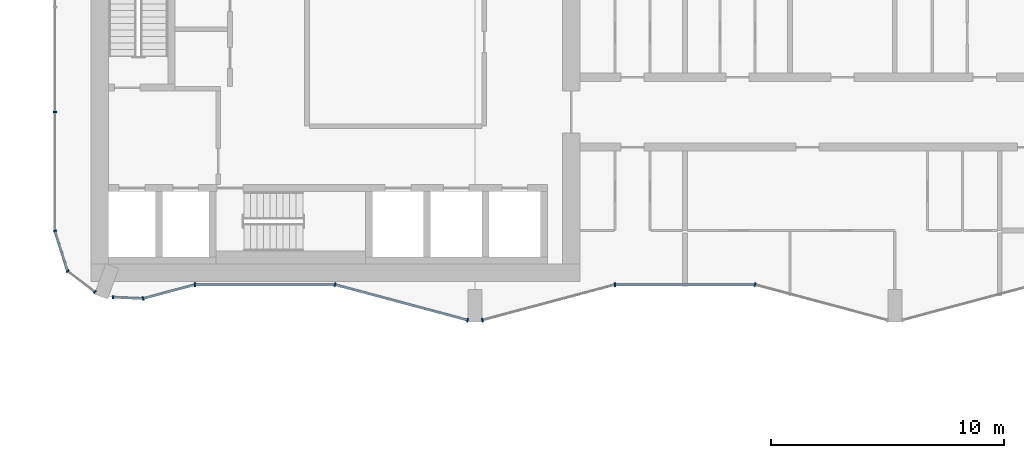
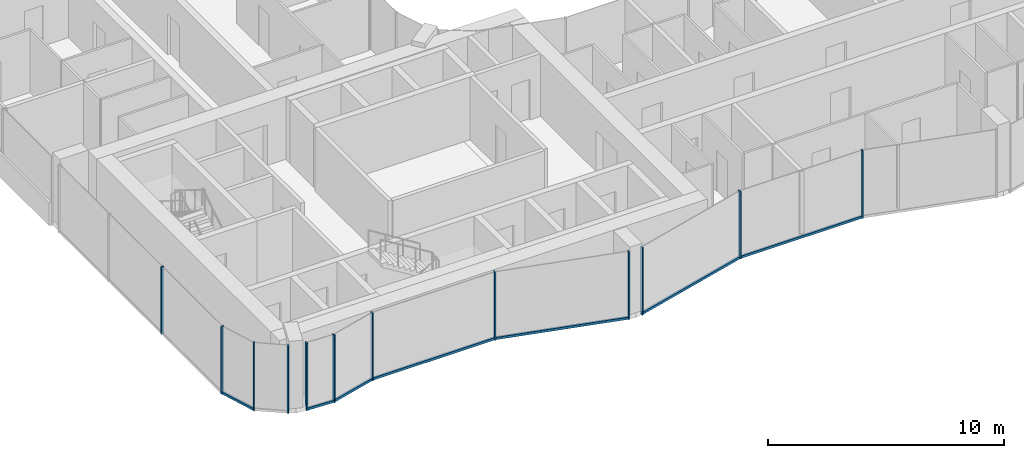
# One storey, part 2 of 23: 19 members, 10 elements without a shape of their own.
"""IFC4 building model written with IfcOpenShell, lengths in metres."""

from ifc_helpers import new_model, si_unit, direction, frame, origin, origin_2d, place, context, subcontext, project, spatial, rectangle, extrude, material, layer, layer_set, material_profile, profile_set, type_object, element, aggregate, save


model = new_model("IFC4")

# Units and contexts
model_context = context("Model", 3, precision=1e-05, world=origin(), true_north=direction((0.0, 1.0)))
body_context = subcontext(model_context, "Body", "Model", "MODEL_VIEW")
ifc_project = project(units=[si_unit("LENGTHUNIT", "METRE"), si_unit("AREAUNIT", "SQUARE_METRE"), si_unit("VOLUMEUNIT", "CUBIC_METRE"), si_unit("PLANEANGLEUNIT", "RADIAN"), si_unit("MASSUNIT", "GRAM", prefix="KILO")], contexts=[model_context])

# Site, building, storey
site_placement = place(None, origin())
site = spatial("IfcSite", under=ifc_project, at=site_placement, CompositionType="ELEMENT")
building_placement = place(site_placement, origin())
building = spatial("IfcBuilding", under=site, at=building_placement, Name="Plateau Cross Towers", CompositionType="ELEMENT")
storey_placement = place(building_placement, frame((0.0, 0.0, 37.300048828125)))
storey = spatial("IfcBuildingStorey", under=building, at=storey_placement, Name="L08", CompositionType="ELEMENT", Elevation=37.300048828125)

# Curtain wall, member
ifc_material_1 = material(Name="Dark low-iron glass", Category="glass")
ifc_layer_1 = layer(ifc_material_1, 0.239990234375)
ifc_layer_set_1 = layer_set([ifc_layer_1], Name="Dark low-iron glass")
curtain_wall_type_1 = type_object("IfcCurtainWallType", Name="Curtain wall flush unitised CW-B", PredefinedType="NOTDEFINED", material=ifc_layer_set_1)
curtain_wall_1_placement = place(storey_placement, origin())
curtain_wall_1 = element("IfcCurtainWall", 1, at=curtain_wall_1_placement, inside=storey, type_object=curtain_wall_type_1, Name="ENV/A/L08/A0_177", PredefinedType="NOTDEFINED")
ifc_material_2 = material(Name="Black anodised aluminium", Category="aluminium")
ifc_material_profile_1 = material_profile(ifc_material_2, rectangle(XDim=0.06005859375, YDim=0.139892578125, at=origin_2d()), Name="MULLION 60x140")
ifc_profile_set_1 = profile_set([ifc_material_profile_1], Name="Black anodised aluminium")
member_type_1 = type_object("IfcMemberType", Name="Mullion 60x140 flush unitised", PredefinedType="MULLION", material=ifc_profile_set_1)
member_1_placement = place(storey_placement, frame((0.0, 9.0, -0.25), z_axis=(0.0, 0.0, 1.0), x_axis=(0.0, -1.0, 0.0)))
member_1 = element("IfcMember", 2, at=member_1_placement, type_object=member_type_1, Name="CW-B mullion 3", PredefinedType="MULLION", context=body_context, shape_type="SweptSolid", body=[
    extrude(rectangle(XDim=0.06005859375, YDim=0.139892578125, at=origin_2d()), origin(), (0.0, 0.0, 1.0), 3.5),
])
aggregate(curtain_wall_1, [member_1])

curtain_wall_2_placement = place(storey_placement, origin())
curtain_wall_2 = element("IfcCurtainWall", 3, at=curtain_wall_2_placement, inside=storey, type_object=curtain_wall_type_1, Name="ENV/A/L08/A0_39", PredefinedType="NOTDEFINED")
member_2_placement = place(storey_placement, frame((0.0, 3.9091796875, -0.25), z_axis=(0.0, 0.0, 1.0), x_axis=(0.300686174994, -0.95372313811, 0.0)))
member_2 = element("IfcMember", 4, at=member_2_placement, type_object=member_type_1, Name="CW-B mullion 1", PredefinedType="MULLION", context=body_context, shape_type="SweptSolid", body=[
    extrude(rectangle(XDim=0.06005859375, YDim=0.139892578125, at=origin_2d()), origin(), (0.0, 0.0, 1.0), 3.5),
])

# Curtain wall, members
curtain_wall_3_placement = place(storey_placement, origin())
curtain_wall_3 = element("IfcCurtainWall", 5, at=curtain_wall_3_placement, inside=storey, type_object=curtain_wall_type_1, Name="ENV/A/L08/A5_22", PredefinedType="NOTDEFINED")
member_3_placement = place(storey_placement, frame((0.54248046875, 2.1884765625, -0.25), z_axis=(0.0, 0.0, 1.0), x_axis=(0.793315514529, -0.608810721331, 0.0)))
member_3 = element("IfcMember", 6, at=member_3_placement, type_object=member_type_1, Name="CW-B mullion 1", PredefinedType="MULLION", context=body_context, shape_type="SweptSolid", body=[
    extrude(rectangle(XDim=0.06005859375, YDim=0.139892578125, at=origin_2d()), origin(), (0.0, 0.0, 1.0), 3.5),
])
member_4_placement = place(storey_placement, frame((1.709716796875, 1.292724609375, -0.25), z_axis=(0.0, 0.0, 1.0), x_axis=(0.793315514529, -0.608810721331, 0.0)))
member_4 = element("IfcMember", 7, at=member_4_placement, type_object=member_type_1, Name="CW-B mullion 2", PredefinedType="MULLION", context=body_context, shape_type="SweptSolid", body=[
    extrude(rectangle(XDim=0.06005859375, YDim=0.139892578125, at=origin_2d()), origin(), (0.0, 0.0, 1.0), 3.5),
])
aggregate(curtain_wall_3, [member_3, member_4])

# Curtain wall, member
curtain_wall_4_placement = place(storey_placement, origin())
curtain_wall_4 = element("IfcCurtainWall", 8, at=curtain_wall_4_placement, inside=storey, type_object=curtain_wall_type_1, Name="ENV/A/L08/A25_11", PredefinedType="NOTDEFINED")
member_5_placement = place(storey_placement, frame((2.483642578125, 1.06787109375, -0.25), z_axis=(0.0, 0.0, 1.0), x_axis=(0.999043701491, -0.043722791671, 0.0)))
member_5 = element("IfcMember", 9, at=member_5_placement, type_object=member_type_1, Name="CW-B mullion 1", PredefinedType="MULLION", context=body_context, shape_type="SweptSolid", body=[
    extrude(rectangle(XDim=0.06005859375, YDim=0.139892578125, at=origin_2d()), origin(), (0.0, 0.0, 1.0), 3.5),
])

ifc_layer_2 = layer(ifc_material_1, 0.260009765625)
ifc_layer_set_2 = layer_set([ifc_layer_2], Name="Dark low-iron glass")
curtain_wall_type_2 = type_object("IfcCurtainWallType", Name="Curtain wall fluted unitised CW-A", PredefinedType="NOTDEFINED", material=ifc_layer_set_2)
curtain_wall_5_placement = place(storey_placement, origin())
curtain_wall_5 = element("IfcCurtainWall", 10, at=curtain_wall_5_placement, inside=storey, type_object=curtain_wall_type_2, Name="ENV/A/L08/A38_10", PredefinedType="NOTDEFINED")
ifc_material_profile_2 = material_profile(ifc_material_2, rectangle(XDim=0.06005859375, YDim=0.159912109375, at=origin_2d()), Name="MULLION 60x160")
ifc_profile_set_2 = profile_set([ifc_material_profile_2], Name="Black anodised aluminium")
member_type_2 = type_object("IfcMemberType", Name="Mullion 60x160 fluted unitised", PredefinedType="MULLION", material=ifc_profile_set_2)
member_6_placement = place(storey_placement, frame((3.776123046875, 1.01123046875, -0.25), z_axis=(0.0, 0.0, 1.0), x_axis=(0.965957962328, 0.258699081978, 0.0)))
member_6 = element("IfcMember", 11, at=member_6_placement, type_object=member_type_2, Name="CW-A mullion 1", PredefinedType="MULLION", context=body_context, shape_type="SweptSolid", body=[
    extrude(rectangle(XDim=0.06005859375, YDim=0.159912109375, at=origin_2d()), origin(), (0.0, 0.0, 1.0), 3.5),
])

curtain_wall_6_placement = place(storey_placement, origin())
curtain_wall_6 = element("IfcCurtainWall", 12, at=curtain_wall_6_placement, inside=storey, type_object=curtain_wall_type_2, Name="ENV/A/L08/A60_16", PredefinedType="NOTDEFINED")
member_7_placement = place(storey_placement, frame((6.0, 1.60693359375, -0.25), z_axis=(0.0, 0.0, 1.0), x_axis=(1.0, 0.0, 0.0)))
member_7 = element("IfcMember", 13, at=member_7_placement, type_object=member_type_2, Name="CW-A mullion 1", PredefinedType="MULLION", context=body_context, shape_type="SweptSolid", body=[
    extrude(rectangle(XDim=0.06005859375, YDim=0.159912109375, at=origin_2d()), origin(), (0.0, 0.0, 1.0), 3.5),
])

# Curtain wall, members
curtain_wall_7_placement = place(storey_placement, origin())
curtain_wall_7 = element("IfcCurtainWall", 14, at=curtain_wall_7_placement, inside=storey, type_object=curtain_wall_type_2, Name="ENV/A/L08/A120_16", PredefinedType="NOTDEFINED")
member_8_placement = place(storey_placement, frame((12.0, 1.60693359375, -0.25), z_axis=(0.0, 0.0, 1.0), x_axis=(0.965957983404, -0.258699003279, 0.0)))
member_8 = element("IfcMember", 15, at=member_8_placement, type_object=member_type_2, Name="CW-A mullion 1", PredefinedType="MULLION", context=body_context, shape_type="SweptSolid", body=[
    extrude(rectangle(XDim=0.06005859375, YDim=0.159912109375, at=origin_2d()), origin(), (0.0, 0.0, 1.0), 3.5),
])
member_9_placement = place(storey_placement, frame((17.68212890625, 0.085205078125, -0.25), z_axis=(0.0, 0.0, 1.0), x_axis=(0.965957983404, -0.258699003279, 0.0)))
member_9 = element("IfcMember", 16, at=member_9_placement, type_object=member_type_2, Name="CW-A mullion 2", PredefinedType="MULLION", context=body_context, shape_type="SweptSolid", body=[
    extrude(rectangle(XDim=0.06005859375, YDim=0.159912109375, at=origin_2d()), origin(), (0.0, 0.0, 1.0), 3.5),
])

# Curtain wall, member
curtain_wall_8_placement = place(storey_placement, origin())
curtain_wall_8 = element("IfcCurtainWall", 17, at=curtain_wall_8_placement, inside=storey, type_object=curtain_wall_type_2, Name="ENV/A/L08/A183_1", PredefinedType="NOTDEFINED")
member_10_placement = place(storey_placement, frame((18.31787109375, 0.085205078125, -0.25), z_axis=(0.0, 0.0, 1.0), x_axis=(0.965957983404, 0.258699003279, 0.0)))
member_10 = element("IfcMember", 18, at=member_10_placement, type_object=member_type_2, Name="CW-A mullion 1", PredefinedType="MULLION", context=body_context, shape_type="SweptSolid", body=[
    extrude(rectangle(XDim=0.06005859375, YDim=0.159912109375, at=origin_2d()), origin(), (0.0, 0.0, 1.0), 3.5),
])

curtain_wall_9_placement = place(storey_placement, origin())
curtain_wall_9 = element("IfcCurtainWall", 19, at=curtain_wall_9_placement, inside=storey, type_object=curtain_wall_type_2, Name="ENV/A/L08/A240_16", PredefinedType="NOTDEFINED")
member_11_placement = place(storey_placement, frame((24.0, 1.60693359375, -0.25), z_axis=(0.0, 0.0, 1.0), x_axis=(1.0, 0.0, 0.0)))
member_11 = element("IfcMember", 20, at=member_11_placement, type_object=member_type_2, Name="CW-A mullion 1", PredefinedType="MULLION", context=body_context, shape_type="SweptSolid", body=[
    extrude(rectangle(XDim=0.06005859375, YDim=0.159912109375, at=origin_2d()), origin(), (0.0, 0.0, 1.0), 3.5),
])

curtain_wall_10_placement = place(storey_placement, origin())
curtain_wall_10 = element("IfcCurtainWall", 21, at=curtain_wall_10_placement, inside=storey, type_object=curtain_wall_type_2, Name="ENV/A/L08/A300_16", PredefinedType="NOTDEFINED")
member_12_placement = place(storey_placement, frame((30.0, 1.60693359375, -0.25), z_axis=(0.0, 0.0, 1.0), x_axis=(0.965957983404, -0.258699003279, 0.0)))
member_12 = element("IfcMember", 22, at=member_12_placement, type_object=member_type_2, Name="CW-A mullion 1", PredefinedType="MULLION", context=body_context, shape_type="SweptSolid", body=[
    extrude(rectangle(XDim=0.06005859375, YDim=0.159912109375, at=origin_2d()), origin(), (0.0, 0.0, 1.0), 3.5),
])
aggregate(curtain_wall_10, [member_12])

# Member
ifc_material_profile_3 = material_profile(ifc_material_2, rectangle(XDim=0.10009765625, YDim=0.1201171875, at=origin_2d()), Name="TRANSOM 100x120")
ifc_profile_set_3 = profile_set([ifc_material_profile_3], Name="Black anodised aluminium")
member_type_3 = type_object("IfcMemberType", Name="Transom 100x120 flush unitised", PredefinedType="USERDEFINED", material=ifc_profile_set_3)
member_13_placement = place(storey_placement, frame((0.0, 3.9091796875, -0.18994140625), z_axis=(0.30067799945, -0.953725715626, 0.0), x_axis=(0.953725715626, 0.30067799945, 0.0)))
member_13 = element("IfcMember", 23, at=member_13_placement, type_object=member_type_3, Name="CW-B transom", ObjectType="TRANSOM", PredefinedType="USERDEFINED", context=body_context, shape_type="SweptSolid", body=[
    extrude(rectangle(XDim=0.10009765625, YDim=0.1201171875, at=origin_2d()), origin(), (0.0, 0.0, 1.0), 1.80419921875),
])

aggregate(curtain_wall_2, [member_2, member_13])

member_14_placement = place(storey_placement, frame((2.483642578125, 1.06787109375, -0.18994140625), z_axis=(0.999041144614, -0.043781175963, 0.0), x_axis=(0.043781175963, 0.999041144614, 0.0)))
member_14 = element("IfcMember", 24, at=member_14_placement, type_object=member_type_3, Name="CW-B transom", ObjectType="TRANSOM", PredefinedType="USERDEFINED", context=body_context, shape_type="SweptSolid", body=[
    extrude(rectangle(XDim=0.10009765625, YDim=0.1201171875, at=origin_2d()), origin(), (0.0, 0.0, 1.0), 1.293701171875),
])

aggregate(curtain_wall_4, [member_5, member_14])

ifc_material_profile_4 = material_profile(ifc_material_2, rectangle(XDim=0.10009765625, YDim=0.1201171875, at=origin_2d()), Name="TRANSOM 100x120")
ifc_profile_set_4 = profile_set([ifc_material_profile_4], Name="Black anodised aluminium")
member_type_4 = type_object("IfcMemberType", Name="Transom 100x120 fluted unitised", PredefinedType="USERDEFINED", material=ifc_profile_set_4)
member_15_placement = place(storey_placement, frame((3.776123046875, 1.01123046875, -0.18994140625), z_axis=(0.965945685136, 0.258744919501, 0.0), x_axis=(-0.258744919501, 0.965945685136, 0.0)))
member_15 = element("IfcMember", 25, at=member_15_placement, type_object=member_type_4, Name="CW-A transom", ObjectType="TRANSOM", PredefinedType="USERDEFINED", context=body_context, shape_type="SweptSolid", body=[
    extrude(rectangle(XDim=0.10009765625, YDim=0.1201171875, at=origin_2d()), origin(), (0.0, 0.0, 1.0), 2.30224609375),
])

aggregate(curtain_wall_5, [member_6, member_15])

member_16_placement = place(storey_placement, frame((6.0, 1.60693359375, -0.18994140625), z_axis=(1.0, 0.0, 0.0), x_axis=(0.0, 1.0, 0.0)))
member_16 = element("IfcMember", 26, at=member_16_placement, type_object=member_type_4, Name="CW-A transom", ObjectType="TRANSOM", PredefinedType="USERDEFINED", context=body_context, shape_type="SweptSolid", body=[
    extrude(rectangle(XDim=0.10009765625, YDim=0.1201171875, at=origin_2d()), origin(), (0.0, 0.0, 1.0), 6.0),
])

aggregate(curtain_wall_6, [member_7, member_16])

member_17_placement = place(storey_placement, frame((12.0, 1.60693359375, -0.18994140625), z_axis=(0.965959534794, -0.258693210465, 0.0), x_axis=(0.258693210465, 0.965959534794, 0.0)))
member_17 = element("IfcMember", 27, at=member_17_placement, type_object=member_type_4, Name="CW-A transom", ObjectType="TRANSOM", PredefinedType="USERDEFINED", context=body_context, shape_type="SweptSolid", body=[
    extrude(rectangle(XDim=0.10009765625, YDim=0.1201171875, at=origin_2d()), origin(), (0.0, 0.0, 1.0), 5.88232421875),
])

aggregate(curtain_wall_7, [member_8, member_9, member_17])

member_18_placement = place(storey_placement, frame((18.31787109375, 0.085205078125, -0.18994140625), z_axis=(0.965959534794, 0.258693210465, 0.0), x_axis=(-0.258693210465, 0.965959534794, 0.0)))
member_18 = element("IfcMember", 28, at=member_18_placement, type_object=member_type_4, Name="CW-A transom", ObjectType="TRANSOM", PredefinedType="USERDEFINED", context=body_context, shape_type="SweptSolid", body=[
    extrude(rectangle(XDim=0.10009765625, YDim=0.1201171875, at=origin_2d()), origin(), (0.0, 0.0, 1.0), 5.88232421875),
])

aggregate(curtain_wall_8, [member_10, member_18])

member_19_placement = place(storey_placement, frame((24.0, 1.60693359375, -0.18994140625), z_axis=(1.0, 0.0, 0.0), x_axis=(0.0, 1.0, 0.0)))
member_19 = element("IfcMember", 29, at=member_19_placement, type_object=member_type_4, Name="CW-A transom", ObjectType="TRANSOM", PredefinedType="USERDEFINED", context=body_context, shape_type="SweptSolid", body=[
    extrude(rectangle(XDim=0.10009765625, YDim=0.1201171875, at=origin_2d()), origin(), (0.0, 0.0, 1.0), 6.0),
])

aggregate(curtain_wall_9, [member_11, member_19])

save(model, "model.ifc")
